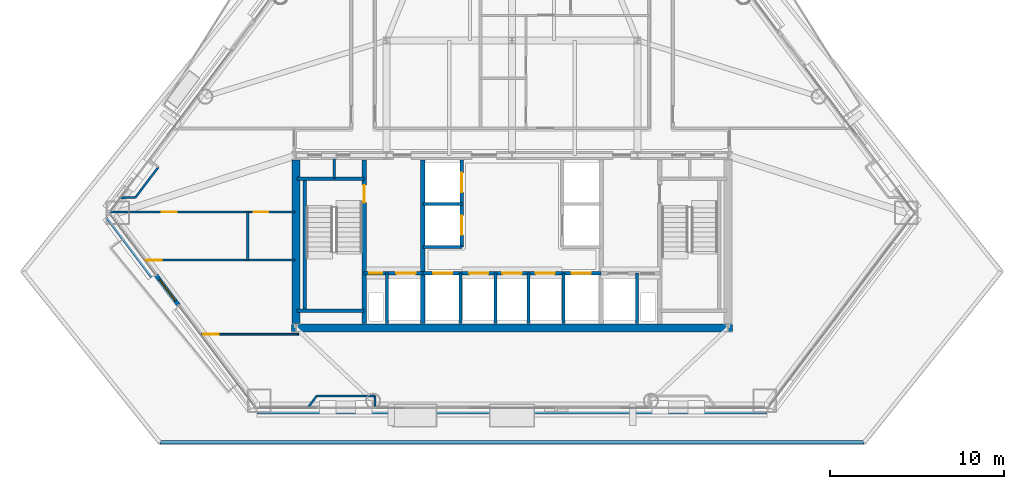
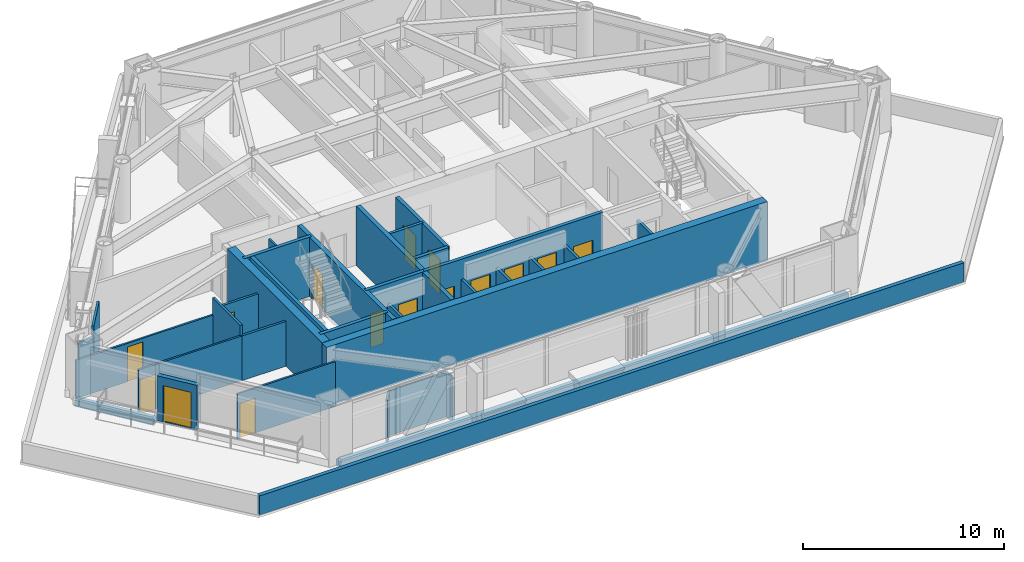
# One storey, part 7 of 13: 34 walls, 15 doors, 15 openings.
"""IFC4 building model written with IfcOpenShell, lengths in metres."""

import ifcopenshell
import ifcopenshell.guid

model = None  # the IFC model being written
_history = None  # IfcOwnerHistory: only IFC2X3 demands one
_inside = {}  # id of a spatial element -> (the spatial element, [elements in it])
_under = {}  # id of a project, library or spatial element -> (it, [spatial elements below it])
_declared = {}  # id of a project -> (the project, [libraries it declares])
_typed = {}  # id of a type object -> (the type object, [elements of that type])
_made_of = {}  # id of a material, layer set ... -> (it, [elements and type objects made of it])


def new_model(schema):
    """Start an empty IFC model of exactly this schema.

    Asked for "IFC4X3", IfcOpenShell would pick the latest addendum, in which some entities
    have other attributes; the version numbers below select the first issue.
    IFC2X3 requires an IfcOwnerHistory on every rooted entity: one is made here for all.
    """
    global model, _history
    if schema == "IFC4X3":
        model = ifcopenshell.file(schema_version=(4, 3, 0, 0))
    else:
        model = ifcopenshell.file(schema=schema)
    _inside.clear()
    _under.clear()
    _declared.clear()
    _typed.clear()
    _made_of.clear()
    _history = None
    if model.schema == "IFC2X3":
        org = make("IfcOrganization", Name="unknown")
        user = make(
            "IfcPersonAndOrganization",
            ThePerson=make("IfcPerson", FamilyName="unknown"),
            TheOrganization=org,
        )
        app = make(
            "IfcApplication",
            ApplicationDeveloper=org,
            Version="unknown",
            ApplicationFullName="unknown",
            ApplicationIdentifier="unknown",
        )
        _history = make(
            "IfcOwnerHistory",
            OwningUser=user,
            OwningApplication=app,
            ChangeAction="ADDED",
            CreationDate=0,
        )
    return model


def make(cls, **values):
    """One entity of the class cls with the attributes given. An attribute that is None is left unset."""
    return model.create_entity(
        cls, **{name: value for name, value in values.items() if value is not None}
    )


def rooted(cls, **values):
    """An entity with a GlobalId (a new one), such as an element, a storey or a relation."""
    return make(cls, GlobalId=ifcopenshell.guid.new(), OwnerHistory=_history, **values)


def si_unit(unit_type, name, prefix=None):
    """IfcSIUnit, for example si_unit("LENGTHUNIT", "METRE", prefix="MILLI")."""
    return make("IfcSIUnit", UnitType=unit_type, Prefix=prefix, Name=name)


def assignment(units):
    """IfcUnitAssignment: the units of a project."""
    return None if units is None else make("IfcUnitAssignment", Units=units)


def point(xyz):
    """IfcCartesianPoint."""
    return None if xyz is None else make("IfcCartesianPoint", Coordinates=xyz)


def direction(xyz):
    """IfcDirection."""
    return None if xyz is None else make("IfcDirection", DirectionRatios=xyz)


def frame(location, z_axis=None, x_axis=None):
    """IfcAxis2Placement3D, a coordinate frame: its origin and axes. An axis left out is left unset."""
    return make(
        "IfcAxis2Placement3D",
        Location=point(location),
        Axis=direction(z_axis),
        RefDirection=direction(x_axis),
    )


def frame_2d(location, x_axis=None):
    """IfcAxis2Placement2D, a coordinate frame in the plane: its origin and x axis."""
    return make(
        "IfcAxis2Placement2D", Location=point(location), RefDirection=direction(x_axis)
    )


def origin():
    """The frame at (0, 0, 0) with its axes left unset."""
    return frame((0.0, 0.0, 0.0))


def place(relative_to, where):
    """IfcLocalPlacement: puts the frame where relative to a parent placement (None: the world)."""
    return make(
        "IfcLocalPlacement", PlacementRelTo=relative_to, RelativePlacement=where
    )


def context(
    kind, dimensions, precision=None, world=None, true_north=None, identifier=None
):
    """IfcGeometricRepresentationContext, for example the 3D "Model" context."""
    return make(
        "IfcGeometricRepresentationContext",
        ContextIdentifier=identifier,
        ContextType=kind,
        CoordinateSpaceDimension=dimensions,
        Precision=precision,
        WorldCoordinateSystem=world,
        TrueNorth=true_north,
    )


def subcontext(parent, identifier, kind, view, scale=None):
    """IfcGeometricRepresentationSubContext, for example "Body" below "Model"."""
    return make(
        "IfcGeometricRepresentationSubContext",
        ContextIdentifier=identifier,
        ContextType=kind,
        ParentContext=parent,
        TargetScale=scale,
        TargetView=view,
    )


def project(units=None, contexts=None):
    """IfcProject with its units and contexts."""
    return rooted(
        "IfcProject",
        Name="project",
        RepresentationContexts=contexts,
        UnitsInContext=assignment(units),
    )


def spatial(cls, under=None, at=None, **own):
    """A site, building, storey or space (cls), placed at a placement, below another one or the project."""
    s = rooted(cls, ObjectPlacement=at, **own)
    if under is not None:
        _under.setdefault(under.id(), (under, []))[1].append(s)
    return s


def profile(cls, at=None, kind="AREA", **sizes):
    """A parametric profile (cls). Its sizes go by their IFC names, for example OverallWidth=200.0."""
    return make(cls, ProfileType=kind, Position=at, **sizes)


def rectangle(**sizes):
    """IfcRectangleProfileDef."""
    return profile("IfcRectangleProfileDef", **sizes)


def extrude(swept, where, along, depth):
    """IfcExtrudedAreaSolid: the profile swept, set in the frame where, extruded along a direction by depth."""
    return make(
        "IfcExtrudedAreaSolid",
        SweptArea=swept,
        Position=where,
        ExtrudedDirection=direction(along),
        Depth=depth,
    )


def shape(context_of_items, identifier, shape_type, items):
    """IfcShapeRepresentation: the items that make up one representation, for example the "Body"."""
    return make(
        "IfcShapeRepresentation",
        ContextOfItems=context_of_items,
        RepresentationIdentifier=identifier,
        RepresentationType=shape_type,
        Items=items,
    )


def material(Name=None, Category=None):
    """IfcMaterial."""
    return make("IfcMaterial", Name=Name, Category=Category)


def layer(
    of_material, thickness, ventilated=None, Name=None, Category=None, Priority=None
):
    """IfcMaterialLayer: one layer of a wall or slab, of a material (None: an air gap)."""
    return make(
        "IfcMaterialLayer",
        Material=of_material,
        LayerThickness=thickness,
        IsVentilated=ventilated,
        Name=Name,
        Category=Category,
        Priority=Priority,
    )


def layer_set(layers, Name=None):
    """IfcMaterialLayerSet."""
    return make("IfcMaterialLayerSet", MaterialLayers=layers, LayerSetName=Name)


def made_of(thing, what):
    """Note that an element or type object is made of a material, layer set ...; save() writes the relation."""
    if what is not None:
        _made_of.setdefault(what.id(), (what, []))[1].append(thing)
    return thing


def type_object(cls, material=None, **own):
    """A type object (cls), such as IfcWallType, which elements share."""
    return made_of(rooted(cls, **own), material)


def element(
    cls,
    number,
    at=None,
    inside=None,
    cuts=None,
    type_object=None,
    material=None,
    context=None,
    identifier="Body",
    shape_type=None,
    held_by="IfcProductDefinitionShape",
    body=None,
    shapes=None,
    **own,
):
    """One element of the class cls, such as IfcWall. Its Tag is "e" and its number.

    at: its placement. inside: the storey or other place that contains it. cuts: it is an
    opening in that element (IfcRelVoidsElement). A single representation is given by context,
    identifier, shape_type and body (its items); several are given by shapes. held_by: the class
    of the entity that holds the representations. save() writes the other relations.
    """
    e = rooted(cls, Tag="e%d" % number, ObjectPlacement=at, **own)
    if body is not None:
        shapes = [shape(context, identifier, shape_type, body)]
    if shapes is not None:
        e.Representation = make(held_by, Representations=shapes)
    if inside is not None:
        _inside.setdefault(inside.id(), (inside, []))[1].append(e)
    if cuts is not None:
        rooted(
            "IfcRelVoidsElement", RelatingBuildingElement=cuts, RelatedOpeningElement=e
        )
    if type_object is not None:
        _typed.setdefault(type_object.id(), (type_object, []))[1].append(e)
    return made_of(e, material)


def fill(opening, filler):
    """IfcRelFillsElement: the door or window that sits in an opening."""
    return rooted(
        "IfcRelFillsElement",
        RelatingOpeningElement=opening,
        RelatedBuildingElement=filler,
    )


def aggregate(whole, parts):
    """IfcRelAggregates: a whole, such as a stair, and the parts it consists of."""
    return rooted("IfcRelAggregates", RelatingObject=whole, RelatedObjects=parts)


def save(model, path):
    """Write the relations noted so far, then the file.

    IfcRelAggregates (storeys below a building ...), IfcRelContainedInSpatialStructure (elements
    in a storey), IfcRelDefinesByType, IfcRelAssociatesMaterial and IfcRelDeclares: one each for
    every whole, place, type object, material and project.
    """
    for whole, parts in _under.values():
        aggregate(whole, parts)
    for where, things in _inside.values():
        rooted(
            "IfcRelContainedInSpatialStructure",
            RelatedElements=things,
            RelatingStructure=where,
        )
    for kind, things in _typed.values():
        rooted("IfcRelDefinesByType", RelatedObjects=things, RelatingType=kind)
    for what, things in _made_of.values():
        rooted("IfcRelAssociatesMaterial", RelatedObjects=things, RelatingMaterial=what)
    for by, libraries in _declared.values():
        rooted("IfcRelDeclares", RelatingContext=by, RelatedDefinitions=libraries)
    model.write(path)


model = new_model("IFC4")

# Units and contexts
model_context = context("Model", 3, precision=1e-05, world=origin(), true_north=direction((0.0, 1.0)))
body_context = subcontext(model_context, "Body", "Model", "MODEL_VIEW")
ifc_project = project(units=[si_unit("LENGTHUNIT", "METRE"), si_unit("AREAUNIT", "SQUARE_METRE"), si_unit("VOLUMEUNIT", "CUBIC_METRE"), si_unit("PLANEANGLEUNIT", "RADIAN"), si_unit("MASSUNIT", "GRAM", prefix="KILO")], contexts=[model_context])

# Site, building, storey
site_placement = place(None, origin())
site = spatial("IfcSite", under=ifc_project, at=site_placement, CompositionType="ELEMENT")
building_placement = place(site_placement, origin())
building = spatial("IfcBuilding", under=site, at=building_placement, Name="Talgorran Terracotta Tower", CompositionType="ELEMENT")
storey_placement = place(building_placement, frame((0.0, 0.0, 24.300048828125)))
storey = spatial("IfcBuildingStorey", under=building, at=storey_placement, Name="L05", CompositionType="ELEMENT", Elevation=24.300048828125)

# Wall, opening, door
ifc_material_1 = material(Name="Concrete C40/50", Category="concrete")
ifc_layer_1 = layer(ifc_material_1, 0.239990234375, Name="WT_BALCONY_SPAND")
ifc_layer_set_1 = layer_set([ifc_layer_1], Name="Concrete C40/50")
wall_type_1 = type_object("IfcWallType", Name="WT_BALCONY_SPAND", PredefinedType="STANDARD", material=ifc_layer_set_1)
wall_1_placement = place(storey_placement, frame((-20.42724609375, -11.073486328125, -0.01513671875), z_axis=(0.0, 0.0, 1.0), x_axis=(0.601769043502, -0.798670156124, 0.0)))
wall_1 = element("IfcWall", 1, at=wall_1_placement, inside=storey, type_object=wall_type_1, Name="WL-L05-BALP-BAL-SW", PredefinedType="STANDARD", context=body_context, shape_type="SweptSolid", body=[
    extrude(rectangle(XDim=2.14013671875, YDim=0.239990234375, at=frame_2d((1.070068359375, 0.0))), origin(), (0.0, 0.0, 1.0), 2.728515625),
])
opening_1_placement = place(wall_1_placement, frame((0.320068359375, 0.0, 0.014892578125)))
opening_1 = element("IfcOpeningElement", 2, at=opening_1_placement, cuts=wall_1, Name="Opening D-BAL-L05-3", PredefinedType="OPENING", context=body_context, shape_type="SweptSolid", body=[
    extrude(rectangle(XDim=1.506, YDim=2.203951171875, at=frame_2d((0.75, 1.10205078125))), frame((0.0, 0.1298828125, 0.0), z_axis=(0.0, -1.0, 0.0), x_axis=(1.0, 0.0, 0.0)), (0.0, 0.0, 1.0), 0.260009765625),
])
ifc_material_2 = material(Name="Thermally Broken Aluminium", Category="aluminium")
door_type_1 = type_object("IfcDoorType", Name="DT_BALC_1500", OperationType="SLIDING_TO_RIGHT", PredefinedType="DOOR", material=ifc_material_2)
door_1_placement = place(opening_1_placement, origin())
door_1 = element("IfcDoor", 3, at=door_1_placement, inside=storey, type_object=door_type_1, Name="DR-L05-BAL-BAL-SW", OperationType="SLIDING_TO_RIGHT", OverallHeight=2.199951171875, OverallWidth=1.5, PredefinedType="DOOR", context=body_context, shape_type="SweptSolid", body=[
    extrude(rectangle(XDim=1.5, YDim=2.199951171875, at=frame_2d((0.75, 1.10009765625))), frame((0.0, 0.02490234375, 0.0), z_axis=(0.0, -1.0, 0.0), x_axis=(1.0, 0.0, 0.0)), (0.0, 0.0, 1.0), 0.050048828125),
])
fill(opening_1, door_1)

# Walls
ifc_material_3 = material(Name="Concrete C50/60", Category="concrete")
ifc_layer_2 = layer(ifc_material_3, 0.199951171875, Name="WT_CORE_200")
ifc_layer_set_2 = layer_set([ifc_layer_2], Name="Concrete C50/60")
wall_type_2 = type_object("IfcWallType", Name="WT_CORE_200", PredefinedType="SOLIDWALL", material=ifc_layer_set_2)
for number, where, z_axis, x_axis, name in (
    (4, (-12.35009765625, -5.52001953125, 0.0), (0.0, 0.0, 1.0), (1.0, 0.0, 0.0), "WL-L05-CW-ST1-N"),
    (5, (-12.35009765625, -13.10009765625, 0.0), (0.0, 0.0, 1.0), (1.0, 0.0, 0.0), "WL-L05-CW-ST1-S"),
):
    element("IfcWall", number, at=place(storey_placement, frame(where, z_axis=z_axis, x_axis=x_axis)), inside=storey, type_object=wall_type_2, Name=name, PredefinedType="SOLIDWALL", context=body_context, shape_type="SweptSolid", body=[
        extrude(rectangle(XDim=3.8701171875, YDim=0.199951171875, at=frame_2d((1.93505859375, 0.0))), origin(), (0.0, 0.0, 1.0), 3.599853515625),
    ])
wall_2_placement = place(storey_placement, frame((-11.89990234375, -13.10009765625, 0.0), z_axis=(0.0, 0.0, 1.0), x_axis=(0.0, 1.0, 0.0)))
element("IfcWall", 6, at=wall_2_placement, inside=storey, type_object=wall_type_2, Name="WL-L05-CW-ST1-W", PredefinedType="SOLIDWALL", context=body_context, shape_type="SweptSolid", body=[
    extrude(rectangle(XDim=7.580078125, YDim=0.199951171875, at=frame_2d((3.7900390625, 0.0))), origin(), (0.0, 0.0, 1.0), 3.599853515625),
])

# Wall, openings, doors
wall_3_placement = place(storey_placement, frame((-8.47998046875, -10.949951171875, 0.0), z_axis=(0.0, 0.0, 1.0), x_axis=(1.0, 0.0, 0.0)))
wall_3 = element("IfcWall", 7, at=wall_3_placement, inside=storey, type_object=wall_type_2, Name="WL-L05-CW-H-SBW", PredefinedType="SOLIDWALL", context=body_context, shape_type="SweptSolid", body=[
    extrude(rectangle(XDim=3.35986328125, YDim=0.199951171875, at=frame_2d((1.679931640625, 0.0))), origin(), (0.0, 0.0, 1.0), 3.599853515625),
])
opening_2_placement = place(wall_3_placement, frame((0.280029296875, 0.0, 0.0)))
opening_2 = element("IfcOpeningElement", 8, at=opening_2_placement, cuts=wall_3, Name="Opening DR-RSW", PredefinedType="OPENING", context=body_context, shape_type="SweptSolid", body=[
    extrude(rectangle(XDim=0.756, YDim=2.054048828125, at=frame_2d((0.375, 1.027099609375))), frame((0.0, 0.10986328125, 0.0), z_axis=(0.0, -1.0, 0.0), x_axis=(1.0, 0.0, 0.0)), (0.0, 0.0, 1.0), 0.219970703125),
])
opening_3_placement = place(wall_3_placement, frame((1.85009765625, 0.0, 0.0)))
opening_3 = element("IfcOpeningElement", 9, at=opening_3_placement, cuts=wall_3, Name="Opening LD-FFL1", PredefinedType="OPENING", context=body_context, shape_type="SweptSolid", body=[
    extrude(rectangle(XDim=1.10609765625, YDim=2.10409765625, at=frame_2d((0.550048828125, 1.052001953125))), frame((0.0, 0.10986328125, 0.0), z_axis=(0.0, -1.0, 0.0), x_axis=(1.0, 0.0, 0.0)), (0.0, 0.0, 1.0), 0.219970703125),
])
ifc_material_4 = material(Name="Brushed Stainless Steel Grade 304", Category="steel")
door_type_2 = type_object("IfcDoorType", Name="DT_LIFT_LD1100", OperationType="DOUBLE_DOOR_SLIDING", PredefinedType="DOOR", material=ifc_material_4)
door_2_placement = place(opening_3_placement, origin())
door_2 = element("IfcDoor", 10, at=door_2_placement, inside=storey, type_object=door_type_2, Name="L05 Lift Landing Door LD-FFL1", OperationType="DOUBLE_DOOR_SLIDING", OverallHeight=2.10009765625, OverallWidth=1.10009765625, PredefinedType="DOOR", context=body_context, shape_type="SweptSolid", body=[
    extrude(rectangle(XDim=1.10009765625, YDim=2.10009765625, at=frame_2d((0.550048828125, 1.050048828125))), frame((0.0, 0.02490234375, 0.0), z_axis=(0.0, -1.0, 0.0), x_axis=(1.0, 0.0, 0.0)), (0.0, 0.0, 1.0), 0.050048828125),
])
fill(opening_3, door_2)
ifc_material_5 = material(Name="Fire-Rated Pressed Steel", Category="steel")
door_type_3 = type_object("IfcDoorType", Name="DT_RISER_750", OperationType="NOTDEFINED", PredefinedType="DOOR", material=ifc_material_5)
door_3_placement = place(opening_2_placement, origin())
door_3 = element("IfcDoor", 11, at=door_3_placement, inside=storey, type_object=door_type_3, Name="DR-RSW", OperationType="SINGLE_SWING_LEFT", OverallHeight=2.050048828125, OverallWidth=0.75, PredefinedType="DOOR", context=body_context, shape_type="SweptSolid", body=[
    extrude(rectangle(XDim=0.75, YDim=2.050048828125, at=frame_2d((0.375, 1.02490234375))), frame((0.0, 0.02490234375, 0.0), z_axis=(0.0, -1.0, 0.0), x_axis=(1.0, 0.0, 0.0)), (0.0, 0.0, 1.0), 0.050048828125),
])
fill(opening_2, door_3)

wall_4_placement = place(storey_placement, frame((-5.1201171875, -10.949951171875, 0.0), z_axis=(0.0, 0.0, 1.0), x_axis=(1.0, 0.0, 0.0)))
wall_4 = element("IfcWall", 12, at=wall_4_placement, inside=storey, type_object=wall_type_2, Name="WL-L05-CW-H-SBC", PredefinedType="SOLIDWALL", context=body_context, shape_type="SweptSolid", body=[
    extrude(rectangle(XDim=10.240234375, YDim=0.199951171875, at=frame_2d((5.1201171875, 0.0))), origin(), (0.0, 0.0, 1.0), 3.599853515625),
])
opening_4_placement = place(wall_4_placement, frame((0.60009765625, 0.0, 0.0)))
opening_4 = element("IfcOpeningElement", 13, at=opening_4_placement, cuts=wall_4, Name="Opening LD-OB1", PredefinedType="OPENING", context=body_context, shape_type="SweptSolid", body=[
    extrude(rectangle(XDim=1.10609765625, YDim=2.10409765625, at=frame_2d((0.550048828125, 1.052001953125))), frame((0.0, 0.10986328125, 0.0), z_axis=(0.0, -1.0, 0.0), x_axis=(1.0, 0.0, 0.0)), (0.0, 0.0, 1.0), 0.219970703125),
])
opening_5_placement = place(wall_4_placement, frame((2.669921875, 0.0, 0.0)))
opening_5 = element("IfcOpeningElement", 14, at=opening_5_placement, cuts=wall_4, Name="Opening LD-PLH1", PredefinedType="OPENING", context=body_context, shape_type="SweptSolid", body=[
    extrude(rectangle(XDim=1.10609765625, YDim=2.10409765625, at=frame_2d((0.550048828125, 1.052001953125))), frame((0.0, 0.10986328125, 0.0), z_axis=(0.0, -1.0, 0.0), x_axis=(1.0, 0.0, 0.0)), (0.0, 0.0, 1.0), 0.219970703125),
])
opening_6_placement = place(wall_4_placement, frame((4.570068359375, 0.0, 0.0)))
opening_6 = element("IfcOpeningElement", 15, at=opening_6_placement, cuts=wall_4, Name="Opening LD-PLH2", PredefinedType="OPENING", context=body_context, shape_type="SweptSolid", body=[
    extrude(rectangle(XDim=1.10609765625, YDim=2.10409765625, at=frame_2d((0.550048828125, 1.052001953125))), frame((0.0, 0.10986328125, 0.0), z_axis=(0.0, -1.0, 0.0), x_axis=(1.0, 0.0, 0.0)), (0.0, 0.0, 1.0), 0.219970703125),
])
opening_7_placement = place(wall_4_placement, frame((6.469970703125, 0.0, 0.0)))
opening_7 = element("IfcOpeningElement", 16, at=opening_7_placement, cuts=wall_4, Name="Opening LD-PLH3", PredefinedType="OPENING", context=body_context, shape_type="SweptSolid", body=[
    extrude(rectangle(XDim=1.10609765625, YDim=2.10409765625, at=frame_2d((0.550048828125, 1.052001953125))), frame((0.0, 0.10986328125, 0.0), z_axis=(0.0, -1.0, 0.0), x_axis=(1.0, 0.0, 0.0)), (0.0, 0.0, 1.0), 0.219970703125),
])
opening_8_placement = place(wall_4_placement, frame((8.5400390625, 0.0, 0.0)))
opening_8 = element("IfcOpeningElement", 17, at=opening_8_placement, cuts=wall_4, Name="Opening LD-SVL1", PredefinedType="OPENING", context=body_context, shape_type="SweptSolid", body=[
    extrude(rectangle(XDim=1.10609765625, YDim=2.10409765625, at=frame_2d((0.550048828125, 1.052001953125))), frame((0.0, 0.10986328125, 0.0), z_axis=(0.0, -1.0, 0.0), x_axis=(1.0, 0.0, 0.0)), (0.0, 0.0, 1.0), 0.219970703125),
])
door_4_placement = place(opening_4_placement, origin())
door_4 = element("IfcDoor", 18, at=door_4_placement, inside=storey, type_object=door_type_2, Name="L05 Lift Landing Door LD-OB1", OperationType="DOUBLE_DOOR_SLIDING", OverallHeight=2.10009765625, OverallWidth=1.10009765625, PredefinedType="DOOR", context=body_context, shape_type="SweptSolid", body=[
    extrude(rectangle(XDim=1.10009765625, YDim=2.10009765625, at=frame_2d((0.550048828125, 1.050048828125))), frame((0.0, 0.02490234375, 0.0), z_axis=(0.0, -1.0, 0.0), x_axis=(1.0, 0.0, 0.0)), (0.0, 0.0, 1.0), 0.050048828125),
])
fill(opening_4, door_4)
door_5_placement = place(opening_5_placement, origin())
door_5 = element("IfcDoor", 19, at=door_5_placement, inside=storey, type_object=door_type_2, Name="L05 Lift Landing Door LD-PLH1", OperationType="DOUBLE_DOOR_SLIDING", OverallHeight=2.10009765625, OverallWidth=1.10009765625, PredefinedType="DOOR", context=body_context, shape_type="SweptSolid", body=[
    extrude(rectangle(XDim=1.10009765625, YDim=2.10009765625, at=frame_2d((0.550048828125, 1.050048828125))), frame((0.0, 0.02490234375, 0.0), z_axis=(0.0, -1.0, 0.0), x_axis=(1.0, 0.0, 0.0)), (0.0, 0.0, 1.0), 0.050048828125),
])
fill(opening_5, door_5)
door_6_placement = place(opening_6_placement, origin())
door_6 = element("IfcDoor", 20, at=door_6_placement, inside=storey, type_object=door_type_2, Name="L05 Lift Landing Door LD-PLH2", OperationType="DOUBLE_DOOR_SLIDING", OverallHeight=2.10009765625, OverallWidth=1.10009765625, PredefinedType="DOOR", context=body_context, shape_type="SweptSolid", body=[
    extrude(rectangle(XDim=1.10009765625, YDim=2.10009765625, at=frame_2d((0.550048828125, 1.050048828125))), frame((0.0, 0.02490234375, 0.0), z_axis=(0.0, -1.0, 0.0), x_axis=(1.0, 0.0, 0.0)), (0.0, 0.0, 1.0), 0.050048828125),
])
fill(opening_6, door_6)
door_7_placement = place(opening_7_placement, origin())
door_7 = element("IfcDoor", 21, at=door_7_placement, inside=storey, type_object=door_type_2, Name="L05 Lift Landing Door LD-PLH3", OperationType="DOUBLE_DOOR_SLIDING", OverallHeight=2.10009765625, OverallWidth=1.10009765625, PredefinedType="DOOR", context=body_context, shape_type="SweptSolid", body=[
    extrude(rectangle(XDim=1.10009765625, YDim=2.10009765625, at=frame_2d((0.550048828125, 1.050048828125))), frame((0.0, 0.02490234375, 0.0), z_axis=(0.0, -1.0, 0.0), x_axis=(1.0, 0.0, 0.0)), (0.0, 0.0, 1.0), 0.050048828125),
])
fill(opening_7, door_7)
door_8_placement = place(opening_8_placement, origin())
door_8 = element("IfcDoor", 22, at=door_8_placement, inside=storey, type_object=door_type_2, Name="L05 Lift Landing Door LD-SVL1", OperationType="DOUBLE_DOOR_SLIDING", OverallHeight=2.10009765625, OverallWidth=1.10009765625, PredefinedType="DOOR", context=body_context, shape_type="SweptSolid", body=[
    extrude(rectangle(XDim=1.10009765625, YDim=2.10009765625, at=frame_2d((0.550048828125, 1.050048828125))), frame((0.0, 0.02490234375, 0.0), z_axis=(0.0, -1.0, 0.0), x_axis=(1.0, 0.0, 0.0)), (0.0, 0.0, 1.0), 0.050048828125),
])
fill(opening_8, door_8)

wall_5_placement = place(storey_placement, frame((-2.8798828125, -9.449951171875, 0.0), z_axis=(0.0, 0.0, 1.0), x_axis=(0.0, 1.0, 0.0)))
wall_5 = element("IfcWall", 23, at=wall_5_placement, inside=storey, type_object=wall_type_2, Name="WL-L05-CW-V-W3", PredefinedType="SOLIDWALL", context=body_context, shape_type="SweptSolid", body=[
    extrude(rectangle(XDim=5.0, YDim=0.199951171875, at=frame_2d((2.5, 0.0))), origin(), (0.0, 0.0, 1.0), 3.349853515625),
])
opening_9_placement = place(wall_5_placement, frame((0.699951171875, 0.0, 0.0)))
opening_9 = element("IfcOpeningElement", 24, at=opening_9_placement, cuts=wall_5, Name="Opening LD-PLL1", PredefinedType="OPENING", context=body_context, shape_type="SweptSolid", body=[
    extrude(rectangle(XDim=1.10609765625, YDim=2.10409765625, at=frame_2d((0.550048828125, 1.052001953125))), frame((0.0, 0.10986328125, 0.0), z_axis=(0.0, -1.0, 0.0), x_axis=(1.0, 0.0, 0.0)), (0.0, 0.0, 1.0), 0.219970703125),
])
opening_10_placement = place(wall_5_placement, frame((3.14990234375, 0.0, 0.0)))
opening_10 = element("IfcOpeningElement", 25, at=opening_10_placement, cuts=wall_5, Name="Opening LD-PLL2", PredefinedType="OPENING", context=body_context, shape_type="SweptSolid", body=[
    extrude(rectangle(XDim=1.10609765625, YDim=2.10409765625, at=frame_2d((0.550048828125, 1.052001953125))), frame((0.0, 0.10986328125, 0.0), z_axis=(0.0, -1.0, 0.0), x_axis=(1.0, 0.0, 0.0)), (0.0, 0.0, 1.0), 0.219970703125),
])
door_9_placement = place(opening_9_placement, origin())
door_9 = element("IfcDoor", 26, at=door_9_placement, inside=storey, type_object=door_type_2, Name="L05 Lift Landing Door LD-PLL1", OperationType="DOUBLE_DOOR_SLIDING", OverallHeight=2.10009765625, OverallWidth=1.10009765625, PredefinedType="DOOR", context=body_context, shape_type="SweptSolid", body=[
    extrude(rectangle(XDim=1.10009765625, YDim=2.10009765625, at=frame_2d((0.550048828125, 1.050048828125))), frame((0.0, 0.02490234375, 0.0), z_axis=(0.0, -1.0, 0.0), x_axis=(1.0, 0.0, 0.0)), (0.0, 0.0, 1.0), 0.050048828125),
])
fill(opening_9, door_9)
door_10_placement = place(opening_10_placement, origin())
door_10 = element("IfcDoor", 27, at=door_10_placement, inside=storey, type_object=door_type_2, Name="L05 Lift Landing Door LD-PLL2", OperationType="DOUBLE_DOOR_SLIDING", OverallHeight=2.10009765625, OverallWidth=1.10009765625, PredefinedType="DOOR", context=body_context, shape_type="SweptSolid", body=[
    extrude(rectangle(XDim=1.10009765625, YDim=2.10009765625, at=frame_2d((0.550048828125, 1.050048828125))), frame((0.0, 0.02490234375, 0.0), z_axis=(0.0, -1.0, 0.0), x_axis=(1.0, 0.0, 0.0)), (0.0, 0.0, 1.0), 0.050048828125),
])
fill(opening_10, door_10)

# Wall
wall_6_placement = place(storey_placement, frame((-5.1201171875, -9.449951171875, 0.0), z_axis=(0.0, 0.0, 1.0), x_axis=(1.0, 0.0, 0.0)))
element("IfcWall", 28, at=wall_6_placement, inside=storey, type_object=wall_type_2, Name="WL-L05-CW-H-W4", PredefinedType="SOLIDWALL", context=body_context, shape_type="SweptSolid", body=[
    extrude(rectangle(XDim=2.240234375, YDim=0.199951171875, at=frame_2d((1.1201171875, 0.0))), origin(), (0.0, 0.0, 1.0), 3.349853515625),
])

# Wall, opening, door
ifc_layer_3 = layer(ifc_material_3, 0.25, Name="WT_CORE_250")
ifc_layer_set_3 = layer_set([ifc_layer_3], Name="Concrete C50/60")
wall_type_3 = type_object("IfcWallType", Name="WT_CORE_250", PredefinedType="SHEAR", material=ifc_layer_set_3)
wall_7_placement = place(storey_placement, frame((-8.47998046875, -13.85009765625, 0.0), z_axis=(0.0, 0.0, 1.0), x_axis=(0.0, 1.0, 0.0)))
wall_7 = element("IfcWall", 29, at=wall_7_placement, inside=storey, type_object=wall_type_3, Name="WL-L05-CW-V-W1", PredefinedType="SHEAR", context=body_context, shape_type="SweptSolid", body=[
    extrude(rectangle(XDim=9.400146484375, YDim=0.25, at=frame_2d((4.7001953125, 0.0))), origin(), (0.0, 0.0, 1.0), 3.599853515625),
])
opening_11_placement = place(wall_7_placement, frame((6.949951171875, 0.0, 0.0)))
opening_11 = element("IfcOpeningElement", 30, at=opening_11_placement, cuts=wall_7, Name="Opening DR-ST01", PredefinedType="OPENING", context=body_context, shape_type="SweptSolid", body=[
    extrude(rectangle(XDim=1.006, YDim=2.10409765625, at=frame_2d((0.5, 1.052001953125))), frame((0.0, 0.135009765625, 0.0), z_axis=(0.0, -1.0, 0.0), x_axis=(1.0, 0.0, 0.0)), (0.0, 0.0, 1.0), 0.27001953125),
])
door_type_4 = type_object("IfcDoorType", Name="DT_FIRE_1000", OperationType="NOTDEFINED", PredefinedType="DOOR", material=ifc_material_5)
door_11_placement = place(opening_11_placement, origin())
door_11 = element("IfcDoor", 31, at=door_11_placement, inside=storey, type_object=door_type_4, Name="DR-ST01", OperationType="SINGLE_SWING_LEFT", OverallHeight=2.10009765625, OverallWidth=1.0, PredefinedType="DOOR", context=body_context, shape_type="SweptSolid", body=[
    extrude(rectangle(XDim=1.0, YDim=2.10009765625, at=frame_2d((0.5, 1.050048828125))), frame((0.0, 0.02490234375, 0.0), z_axis=(0.0, -1.0, 0.0), x_axis=(1.0, 0.0, 0.0)), (0.0, 0.0, 1.0), 0.050048828125),
])
fill(opening_11, door_11)

# Walls
wall_8_placement = place(storey_placement, frame((-5.1201171875, -13.85009765625, 0.0), z_axis=(0.0, 0.0, 1.0), x_axis=(0.0, 1.0, 0.0)))
element("IfcWall", 32, at=wall_8_placement, inside=storey, type_object=wall_type_3, Name="WL-L05-CW-V-W2", PredefinedType="SHEAR", context=body_context, shape_type="SweptSolid", body=[
    extrude(rectangle(XDim=9.400146484375, YDim=0.25, at=frame_2d((4.7001953125, 0.0))), origin(), (0.0, 0.0, 1.0), 3.599853515625),
])
ifc_material_6 = material(Name="Concrete C65/80", Category="concrete")
ifc_layer_4 = layer(ifc_material_6, 0.449951171875, Name="WT_CORE_EXT")
ifc_layer_set_4 = layer_set([ifc_layer_4], Name="Concrete C65/80")
wall_type_4 = type_object("IfcWallType", Name="WT_CORE_EXT", PredefinedType="SHEAR", material=ifc_layer_set_4)
wall_9_placement = place(storey_placement, frame((-12.64990234375, -14.10009765625, 0.0), z_axis=(0.0, 0.0, 1.0), x_axis=(1.0, 0.0, 0.0)))
element("IfcWall", 33, at=wall_9_placement, inside=storey, type_object=wall_type_4, Name="WL-L05-CW-OUT-S", PredefinedType="SHEAR", context=body_context, shape_type="SweptSolid", body=[
    extrude(rectangle(XDim=25.2998046875, YDim=0.449951171875, at=frame_2d((12.64990234375, 0.0))), origin(), (0.0, 0.0, 1.0), 3.599853515625),
])
wall_10_placement = place(storey_placement, frame((-12.39990234375, -13.85009765625, 0.0), z_axis=(0.0, 0.0, 1.0), x_axis=(0.0, 1.0, 0.0)))
element("IfcWall", 34, at=wall_10_placement, inside=storey, type_object=wall_type_4, Name="WL-L05-CW-OUT-W", PredefinedType="SHEAR", context=body_context, shape_type="SweptSolid", body=[
    extrude(rectangle(XDim=9.400146484375, YDim=0.449951171875, at=frame_2d((4.7001953125, 0.0))), origin(), (0.0, 0.0, 1.0), 3.599853515625),
])
ifc_layer_5 = layer(ifc_material_1, 0.219970703125, Name="WT_PARAPET_RC")
ifc_layer_set_5 = layer_set([ifc_layer_5], Name="Concrete C40/50")
wall_type_5 = type_object("IfcWallType", Name="WT_PARAPET_RC", PredefinedType="PARAPET", material=ifc_layer_set_5)
wall_11_placement = place(storey_placement, frame((-20.204833984375, -20.659912109375, -0.02001953125), z_axis=(0.0, 0.0, 1.0), x_axis=(1.0, 0.0, 0.0)))
element("IfcWall", 35, at=wall_11_placement, inside=storey, type_object=wall_type_5, Name="WL-L05-PARAPET-2", PredefinedType="PARAPET", context=body_context, shape_type="SweptSolid", body=[
    extrude(rectangle(XDim=40.40966796875, YDim=0.219970703125, at=frame_2d((20.204833984375, 0.0))), origin(), (0.0, 0.0, 1.0), 1.169921875),
])
wall_12_placement = place(storey_placement, frame((-23.182861328125, -7.6826171875, -0.199951171875), z_axis=(0.0, 0.0, 1.0), x_axis=(0.601834408772, -0.798620901566, 0.0)))
element("IfcWall", 36, at=wall_12_placement, inside=storey, type_object=wall_type_5, Name="L05 Striped Portal Precast Cornice F10", PredefinedType="PARAPET", context=body_context, shape_type="SweptSolid", body=[
    extrude(rectangle(XDim=4.2763671875, YDim=0.360107421875, at=frame_2d((2.13818359375, 0.0))), origin(), (0.0, 0.0, 1.0), 0.3798828125),
])
wall_13_placement = place(storey_placement, frame((-14.615478515625, -18.840087890625, -0.199951171875), z_axis=(0.0, 0.0, 1.0), x_axis=(1.0, 0.0, 0.0)))
element("IfcWall", 37, at=wall_13_placement, inside=storey, type_object=wall_type_5, Name="L05 Striped Portal Precast Cornice F1", PredefinedType="PARAPET", context=body_context, shape_type="SweptSolid", body=[
    extrude(rectangle(XDim=29.23095703125, YDim=0.360107421875, at=frame_2d((14.615478515625, 0.0))), origin(), (0.0, 0.0, 1.0), 0.3798828125),
])

# Wall, opening, door
ifc_material_7 = material(Name="Lightweight Steel Stud Partition", Category="steel")
ifc_layer_6 = layer(ifc_material_7, 0.10498046875, Name="WT_PART_110")
ifc_layer_set_6 = layer_set([ifc_layer_6], Name="Lightweight Steel Stud Partition")
wall_type_6 = type_object("IfcWallType", Name="WT_PART_110", PredefinedType="PARTITIONING", material=ifc_layer_set_6)
wall_14_placement = place(storey_placement, frame((-23.08935546875, -7.43994140625, 0.0), z_axis=(0.0, 0.0, 1.0), x_axis=(1.0, 0.0, 0.0)))
wall_14 = element("IfcWall", 38, at=wall_14_placement, inside=storey, type_object=wall_type_6, Name="WL-L05-W-L05-R18", PredefinedType="PARTITIONING", context=body_context, shape_type="SweptSolid", body=[
    extrude(rectangle(XDim=8.00927734375, YDim=0.10498046875, at=frame_2d((4.004638671875, 0.0))), origin(), (0.0, 0.0, 1.0), 2.324951171875),
])
opening_12_placement = place(wall_14_placement, frame((2.9755859375, 0.0, 0.0)))
opening_12 = element("IfcOpeningElement", 39, at=opening_12_placement, cuts=wall_14, Name="Opening DR-L05-R03", PredefinedType="OPENING", context=body_context, shape_type="SweptSolid", body=[
    extrude(rectangle(XDim=0.8858828125, YDim=2.10409765625, at=frame_2d((0.43994140625, 1.052001953125))), frame((0.0, 0.0625, 0.0), z_axis=(0.0, -1.0, 0.0), x_axis=(1.0, 0.0, 0.0)), (0.0, 0.0, 1.0), 0.125),
])
ifc_material_8 = material(Name="Solid-Core Painted Timber", Category="wood")
door_type_5 = type_object("IfcDoorType", Name="DT_INT_880", OperationType="NOTDEFINED", PredefinedType="DOOR", material=ifc_material_8)
door_12_placement = place(opening_12_placement, origin())
door_12 = element("IfcDoor", 40, at=door_12_placement, inside=storey, type_object=door_type_5, Name="DR-L05-R03", OperationType="SINGLE_SWING_LEFT", OverallHeight=2.10009765625, OverallWidth=0.8798828125, PredefinedType="DOOR", context=body_context, shape_type="SweptSolid", body=[
    extrude(rectangle(XDim=0.8798828125, YDim=2.10009765625, at=frame_2d((0.43994140625, 1.050048828125))), frame((0.0, 0.02490234375, 0.0), z_axis=(0.0, -1.0, 0.0), x_axis=(1.0, 0.0, 0.0)), (0.0, 0.0, 1.0), 0.050048828125),
])
fill(opening_12, door_12)

wall_15_placement = place(storey_placement, frame((-21.08544921875, -10.199951171875, 0.0), z_axis=(0.0, 0.0, 1.0), x_axis=(1.0, 0.0, 0.0)))
wall_15 = element("IfcWall", 41, at=wall_15_placement, inside=storey, type_object=wall_type_6, Name="WL-L05-W-L05-R22", PredefinedType="PARTITIONING", context=body_context, shape_type="SweptSolid", body=[
    extrude(rectangle(XDim=5.925537109375, YDim=0.10498046875, at=frame_2d((2.962890625, 0.0))), origin(), (0.0, 0.0, 1.0), 2.71337890625),
])
opening_13_placement = place(wall_15_placement, frame((0.10009765625, 0.0, 0.0)))
opening_13 = element("IfcOpeningElement", 42, at=opening_13_placement, cuts=wall_15, Name="Opening DR-L05-R16", PredefinedType="OPENING", context=body_context, shape_type="SweptSolid", body=[
    extrude(rectangle(XDim=0.8858828125, YDim=2.10409765625, at=frame_2d((0.43994140625, 1.052001953125))), frame((0.0, 0.0625, 0.0), z_axis=(0.0, -1.0, 0.0), x_axis=(1.0, 0.0, 0.0)), (0.0, 0.0, 1.0), 0.125),
])
door_13_placement = place(opening_13_placement, origin())
door_13 = element("IfcDoor", 43, at=door_13_placement, inside=storey, type_object=door_type_5, Name="DR-L05-R16", OperationType="SINGLE_SWING_RIGHT", OverallHeight=2.10009765625, OverallWidth=0.8798828125, PredefinedType="DOOR", context=body_context, shape_type="SweptSolid", body=[
    extrude(rectangle(XDim=0.8798828125, YDim=2.10009765625, at=frame_2d((0.43994140625, 1.050048828125))), frame((0.0, 0.02490234375, 0.0), z_axis=(0.0, -1.0, 0.0), x_axis=(1.0, 0.0, 0.0)), (0.0, 0.0, 1.0), 0.050048828125),
])
fill(opening_13, door_13)

wall_16_placement = place(storey_placement, frame((-17.87548828125, -14.4599609375, 0.0), z_axis=(0.0, 0.0, 1.0), x_axis=(1.0, 0.0, 0.0)))
wall_16 = element("IfcWall", 44, at=wall_16_placement, inside=storey, type_object=wall_type_6, Name="WL-L05-W-L05-R23", PredefinedType="PARTITIONING", context=body_context, shape_type="SweptSolid", body=[
    extrude(rectangle(XDim=5.635498046875, YDim=0.10498046875, at=frame_2d((2.81787109375, 0.0))), origin(), (0.0, 0.0, 1.0), 2.71337890625),
])
opening_14_placement = place(wall_16_placement, frame((0.155517578125, 0.0, 0.0)))
opening_14 = element("IfcOpeningElement", 45, at=opening_14_placement, cuts=wall_16, Name="Opening DR-L05-R04", PredefinedType="OPENING", context=body_context, shape_type="SweptSolid", body=[
    extrude(rectangle(XDim=0.8858828125, YDim=2.10409765625, at=frame_2d((0.43994140625, 1.052001953125))), frame((0.0, 0.0625, 0.0), z_axis=(0.0, -1.0, 0.0), x_axis=(1.0, 0.0, 0.0)), (0.0, 0.0, 1.0), 0.125),
])
door_14_placement = place(opening_14_placement, origin())
door_14 = element("IfcDoor", 46, at=door_14_placement, inside=storey, type_object=door_type_5, Name="DR-L05-R04", OperationType="SINGLE_SWING_RIGHT", OverallHeight=2.10009765625, OverallWidth=0.8798828125, PredefinedType="DOOR", context=body_context, shape_type="SweptSolid", body=[
    extrude(rectangle(XDim=0.8798828125, YDim=2.10009765625, at=frame_2d((0.43994140625, 1.050048828125))), frame((0.0, 0.02490234375, 0.0), z_axis=(0.0, -1.0, 0.0), x_axis=(1.0, 0.0, 0.0)), (0.0, 0.0, 1.0), 0.050048828125),
])
fill(opening_14, door_14)

# Walls
ifc_material_9 = material(Name="Insulated Steel Stud Plasterboard", Category="steel")
ifc_layer_7 = layer(ifc_material_9, 0.1201171875, Name="WT_PART_120")
ifc_layer_set_7 = layer_set([ifc_layer_7], Name="Insulated Steel Stud Plasterboard")
wall_type_7 = type_object("IfcWallType", Name="WT_PART_120", PredefinedType="PARTITIONING", material=ifc_layer_set_7)
wall_17_placement = place(storey_placement, frame((-10.199951171875, -5.52001953125, 0.0), z_axis=(0.0, 0.0, 1.0), x_axis=(0.0, 1.0, 0.0)))
element("IfcWall", 47, at=wall_17_placement, inside=storey, type_object=wall_type_7, Name="WL-L05-CW-CSW-DIV", PredefinedType="PARTITIONING", context=body_context, shape_type="SweptSolid", body=[
    extrude(rectangle(XDim=1.1201171875, YDim=0.1201171875, at=frame_2d((0.56005859375, 0.0))), origin(), (0.0, 0.0, 1.0), 3.349853515625),
])
wall_18_placement = place(storey_placement, frame((-11.206298828125, -18.0, 0.0), z_axis=(0.0, 0.0, 1.0), x_axis=(1.0, 0.0, 0.0)))
element("IfcWall", 48, at=wall_18_placement, inside=storey, type_object=wall_type_7, Name="WL-L05-BW-L05-01", PredefinedType="PARTITIONING", context=body_context, shape_type="SweptSolid", body=[
    extrude(rectangle(XDim=3.334716796875, YDim=0.1201171875, at=frame_2d((1.66748046875, 0.0))), origin(), (0.0, 0.0, 1.0), 2.71337890625),
])
wall_19_placement = place(storey_placement, frame((-20.293212890625, -4.859130859375, 0.0), z_axis=(0.0, 0.0, 1.0), x_axis=(-0.601772594651, -0.798667480449, 0.0)))
element("IfcWall", 49, at=wall_19_placement, inside=storey, type_object=wall_type_7, Name="WL-L05-BW-L05-08", PredefinedType="PARTITIONING", context=body_context, shape_type="SweptSolid", body=[
    extrude(rectangle(XDim=2.179931640625, YDim=0.1201171875, at=frame_2d((1.08984375, 0.0))), origin(), (0.0, 0.0, 1.0), 3.349853515625),
])
wall_20_placement = place(storey_placement, frame((-21.60498046875, -6.60009765625, 0.0), z_axis=(0.0, 0.0, 1.0), x_axis=(-0.999402630252, -0.034559841522, 0.0)))
element("IfcWall", 50, at=wall_20_placement, inside=storey, type_object=wall_type_7, Name="WL-L05-BW-L05-09", PredefinedType="PARTITIONING", context=body_context, shape_type="SweptSolid", body=[
    extrude(rectangle(XDim=0.86181640625, YDim=0.1201171875, at=frame_2d((0.430908203125, 0.0))), origin(), (0.0, 0.0, 1.0), 2.71337890625),
])
wall_21_placement = place(storey_placement, frame((-11.70849609375, -18.669921875, 0.0), z_axis=(0.0, 0.0, 1.0), x_axis=(0.599813362113, 0.800139944404, 0.0)))
element("IfcWall", 51, at=wall_21_placement, inside=storey, type_object=wall_type_7, Name="WL-L05-BW-L05-03", PredefinedType="PARTITIONING", context=body_context, shape_type="SweptSolid", body=[
    extrude(rectangle(XDim=0.837158203125, YDim=0.1201171875, at=frame_2d((0.41845703125, 0.0))), origin(), (0.0, 0.0, 1.0), 2.71337890625),
])
wall_22_placement = place(storey_placement, frame((-7.87158203125, -18.0, 0.0), z_axis=(0.0, 0.0, 1.0), x_axis=(0.0, -1.0, 0.0)))
element("IfcWall", 52, at=wall_22_placement, inside=storey, type_object=wall_type_7, Name="WL-L05-BW-L05-02", PredefinedType="PARTITIONING", context=body_context, shape_type="SweptSolid", body=[
    extrude(rectangle(XDim=0.669921875, YDim=0.1201171875, at=frame_2d((0.3349609375, 0.0))), origin(), (0.0, 0.0, 1.0), 2.71337890625),
])

# Wall, opening, door
ifc_material_10 = material(Name="Moisture-Resistant Stud Wall")
ifc_layer_8 = layer(ifc_material_10, 0.135009765625, Name="WT_PART_135")
ifc_layer_set_8 = layer_set([ifc_layer_8], Name="Moisture-Resistant Stud Wall")
wall_type_8 = type_object("IfcWallType", Name="WT_PART_135", PredefinedType="PARTITIONING", material=ifc_layer_set_8)
wall_23_placement = place(storey_placement, frame((-15.077880859375, -7.43994140625, 0.0), z_axis=(0.0, 0.0, 1.0), x_axis=(1.0, 0.0, 0.0)))
wall_23 = element("IfcWall", 53, at=wall_23_placement, inside=storey, type_object=wall_type_8, Name="WL-L05-W-L05-R17", PredefinedType="PARTITIONING", context=body_context, shape_type="SweptSolid", body=[
    extrude(rectangle(XDim=2.637939453125, YDim=0.135009765625, at=frame_2d((1.31884765625, 0.0))), origin(), (0.0, 0.0, 1.0), 2.71337890625),
])
opening_15_placement = place(wall_23_placement, frame((0.2705078125, 0.0, 0.0)))
opening_15 = element("IfcOpeningElement", 54, at=opening_15_placement, cuts=wall_23, Name="Opening DR-L05-R02", PredefinedType="OPENING", context=body_context, shape_type="SweptSolid", body=[
    extrude(rectangle(XDim=0.826068359375, YDim=2.10409765625, at=frame_2d((0.41015625, 1.052001953125))), frame((0.0, 0.07763671875, 0.0), z_axis=(0.0, -1.0, 0.0), x_axis=(1.0, 0.0, 0.0)), (0.0, 0.0, 1.0), 0.155029296875),
])
ifc_material_11 = material(Name="Moisture-Resistant Solid Timber", Category="wood")
door_type_6 = type_object("IfcDoorType", Name="DT_INT_820", OperationType="NOTDEFINED", PredefinedType="DOOR", material=ifc_material_11)
door_15_placement = place(opening_15_placement, origin())
door_15 = element("IfcDoor", 55, at=door_15_placement, inside=storey, type_object=door_type_6, Name="DR-L05-R02", OperationType="SINGLE_SWING_RIGHT", OverallHeight=2.10009765625, OverallWidth=0.820068359375, PredefinedType="DOOR", context=body_context, shape_type="SweptSolid", body=[
    extrude(rectangle(XDim=0.820068359375, YDim=2.10009765625, at=frame_2d((0.41015625, 1.050048828125))), frame((0.0, 0.02490234375, 0.0), z_axis=(0.0, -1.0, 0.0), x_axis=(1.0, 0.0, 0.0)), (0.0, 0.0, 1.0), 0.050048828125),
])
fill(opening_15, door_15)

# Walls
wall_24_placement = place(storey_placement, frame((-15.159912109375, -10.199951171875, 0.0), z_axis=(0.0, 0.0, 1.0), x_axis=(0.0, 1.0, 0.0)))
element("IfcWall", 56, at=wall_24_placement, inside=storey, type_object=wall_type_8, Name="WL-L05-W-L05-R20", PredefinedType="PARTITIONING", context=body_context, shape_type="SweptSolid", body=[
    extrude(rectangle(XDim=2.760009765625, YDim=0.135009765625, at=frame_2d((1.3798828125, 0.0))), origin(), (0.0, 0.0, 1.0), 3.349853515625),
])
wall_25_placement = place(storey_placement, frame((-15.159912109375, -10.199951171875, 0.0), z_axis=(0.0, 0.0, 1.0), x_axis=(1.0, 0.0, 0.0)))
element("IfcWall", 57, at=wall_25_placement, inside=storey, type_object=wall_type_8, Name="WL-L05-W-L05-R21", PredefinedType="PARTITIONING", context=body_context, shape_type="SweptSolid", body=[
    extrude(rectangle(XDim=2.719970703125, YDim=0.135009765625, at=frame_2d((1.35986328125, 0.0))), origin(), (0.0, 0.0, 1.0), 2.71337890625),
])
ifc_material_12 = material(Name="Fire-Rated Shaftwall")
ifc_layer_9 = layer(ifc_material_12, 0.159912109375, Name="WT_PART_150")
ifc_layer_set_9 = layer_set([ifc_layer_9], Name="Fire-Rated Shaftwall")
wall_type_9 = type_object("IfcWallType", Name="WT_PART_150", PredefinedType="PARTITIONING", material=ifc_layer_set_9)
wall_26_placement = place(storey_placement, frame((-5.1201171875, -6.97998046875, 0.0), z_axis=(0.0, 0.0, 1.0), x_axis=(1.0, 0.0, 0.0)))
element("IfcWall", 58, at=wall_26_placement, inside=storey, type_object=wall_type_9, Name="WL-L05-CW-PLL-DIV", PredefinedType="PARTITIONING", context=body_context, shape_type="SweptSolid", body=[
    extrude(rectangle(XDim=2.240234375, YDim=0.159912109375, at=frame_2d((1.1201171875, 0.0))), origin(), (0.0, 0.0, 1.0), 3.349853515625),
])
for number, where, z_axis, x_axis, name in (
    (59, (-7.179931640625, -13.85009765625, 0.0), (0.0, 0.0, 1.0), (0.0, 1.0, 0.0), "WL-L05-CW-RSW"),
    (60, (7.179931640625, -13.85009765625, 0.0), (0.0, 0.0, 1.0), (0.0, 1.0, 0.0), "WL-L05-CW-RSE"),
    (61, (-2.949951171875, -13.85009765625, 0.0), (0.0, 0.0, 1.0), (0.0, 1.0, 0.0), "WL-L05-CW-OB-E"),
    (62, (2.949951171875, -13.85009765625, 0.0), (0.0, 0.0, 1.0), (0.0, 1.0, 0.0), "WL-L05-CW-SV-W"),
    (63, (-0.949951171875, -13.85009765625, 0.0), (0.0, 0.0, 1.0), (0.0, 1.0, 0.0), "WL-L05-CW-PLH-D1"),
    (64, (0.949951171875, -13.85009765625, 0.0), (0.0, 0.0, 1.0), (0.0, 1.0, 0.0), "WL-L05-CW-PLH-D2"),
):
    element("IfcWall", number, at=place(storey_placement, frame(where, z_axis=z_axis, x_axis=x_axis)), inside=storey, type_object=wall_type_9, Name=name, PredefinedType="PARTITIONING", context=body_context, shape_type="SweptSolid", body=[
        extrude(rectangle(XDim=2.900146484375, YDim=0.159912109375, at=frame_2d((1.4501953125, 0.0))), origin(), (0.0, 0.0, 1.0), 2.375),
    ])

save(model, "model.ifc")
